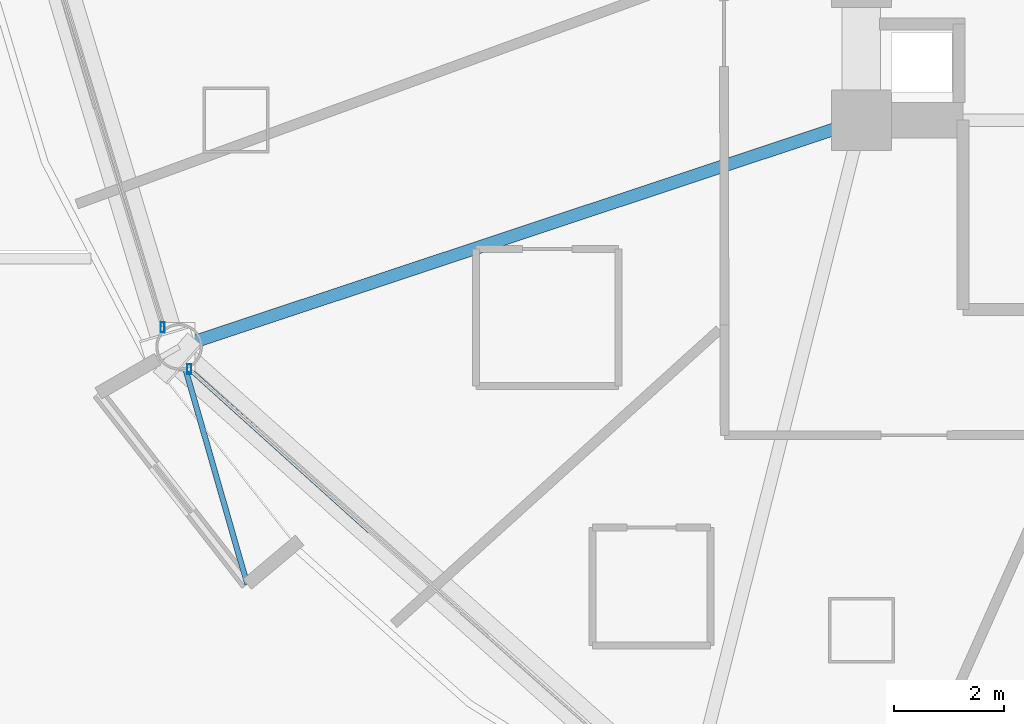
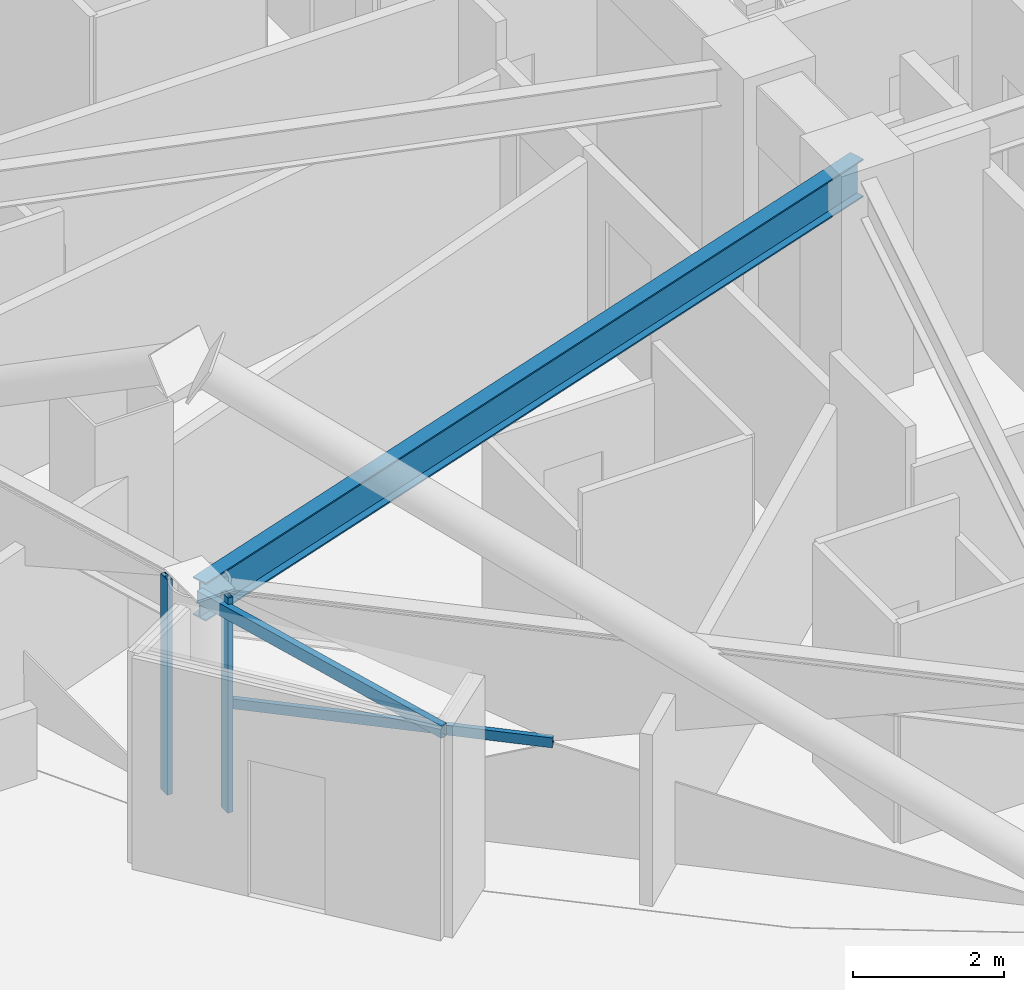
# One storey, part 2 of 27: 4 members, 1 beam, 2 elements without a shape of their own.
"""IFC4 building model written with IfcOpenShell, lengths in metres."""

from ifc_helpers import new_model, si_unit, direction, frame, origin, origin_2d, place, context, subcontext, project, spatial, hollow_rectangle, i_section, extrude, material, layer, layer_set, material_profile, profile_set, type_object, element, aggregate, save


model = new_model("IFC4")

# Units and contexts
model_context = context("Model", 3, precision=1e-05, world=origin(), true_north=direction((0.0, 1.0)))
body_context = subcontext(model_context, "Body", "Model", "MODEL_VIEW")
ifc_project = project(units=[si_unit("LENGTHUNIT", "METRE"), si_unit("AREAUNIT", "SQUARE_METRE"), si_unit("VOLUMEUNIT", "CUBIC_METRE"), si_unit("PLANEANGLEUNIT", "RADIAN"), si_unit("MASSUNIT", "GRAM", prefix="KILO")], contexts=[model_context])

# Site, building, storey
site_placement = place(None, origin())
site = spatial("IfcSite", under=ifc_project, at=site_placement, CompositionType="ELEMENT")
building_placement = place(site_placement, origin())
building = spatial("IfcBuilding", under=site, at=building_placement, Name="Vantalir Tower", CompositionType="ELEMENT")
storey_placement = place(building_placement, frame((0.0, 0.0, 27.0)))
storey = spatial("IfcBuildingStorey", under=building, at=storey_placement, Name="L05", CompositionType="ELEMENT", Elevation=27.0)

# Beam
ifc_material_1 = material(Name="Steel S355", Category="steel")
ifc_material_profile_1 = material_profile(ifc_material_1, i_section(OverallWidth=0.22998046875, OverallDepth=0.616943359375, WebThickness=0.01318359375, FlangeThickness=0.022216796875, at=origin_2d()), Name="Steel S355")
ifc_profile_set_1 = profile_set([ifc_material_profile_1], Name="Steel S355")
beam_type = type_object("IfcBeamType", Name="BM-RB-610x229", PredefinedType="BEAM", material=ifc_profile_set_1)
beam_placement = place(storey_placement, frame((9.4599609375, 13.66796875, 3.261962890625), z_axis=(0.9490161576, 0.315227429984, 0.0), x_axis=(-0.315227429984, 0.9490161576, 0.0)))
element("IfcBeam", 1, at=beam_placement, inside=storey, type_object=beam_type, Name="L05 Radial Floor Beam 08", PredefinedType="BEAM", context=body_context, shape_type="SweptSolid", body=[
    extrude(i_section(OverallWidth=0.22998046875, OverallDepth=0.616943359375, WebThickness=0.01318359375, FlangeThickness=0.022216796875, at=origin_2d()), origin(), (0.0, 0.0, 1.0), 13.108154296875),
])

# Curtain wall, member
ifc_material_2 = material(Name="Champagne-silver PVDF aluminium and double-silver Low-E glass", Category="aluminium")
ifc_layer = layer(ifc_material_2, 0.18994140625)
ifc_layer_set = layer_set([ifc_layer], Name="Champagne-silver PVDF aluminium and double-silver Low-E glass")
curtain_wall_type = type_object("IfcCurtainWallType", Name="CW-DIAMOND-Z1", PredefinedType="USERDEFINED", material=ifc_layer_set)
curtain_wall_1_placement = place(storey_placement, origin())
curtain_wall_1 = element("IfcCurtainWall", 2, at=curtain_wall_1_placement, inside=storey, type_object=curtain_wall_type, Name="L05 Quilted Pyramid-Diamond Curtain Wall S07", ObjectType="UNITISED CURTAIN WALL", PredefinedType="USERDEFINED")
ifc_material_3 = material(Name="Champagne-silver PVDF aluminium 6063-T6", Category="aluminium")
ifc_material_profile_2 = material_profile(ifc_material_3, hollow_rectangle(XDim=0.074951171875, YDim=0.179931640625, WallThickness=0.00390625, at=origin_2d()), Name="Champagne-silver PVDF aluminium 6063-T6")
ifc_profile_set_2 = profile_set([ifc_material_profile_2], Name="Champagne-silver PVDF aluminium 6063-T6")
member_type_1 = type_object("IfcMemberType", Name="CWM-180x75", PredefinedType="MULLION", material=ifc_profile_set_2)
member_1_placement = place(storey_placement, frame((9.159912109375, 14.02294921875, 0.044921875), z_axis=(0.0, 0.0, 1.0), x_axis=(1.0, 0.0, 0.0)))
member_1 = element("IfcMember", 3, at=member_1_placement, type_object=member_type_1, Name="CW-L05-S07 Mullion 2", PredefinedType="MULLION", context=body_context, shape_type="SweptSolid", body=[
    extrude(hollow_rectangle(XDim=0.074951171875, YDim=0.179931640625, WallThickness=0.00390625, at=origin_2d()), origin(), (0.0, 0.0, 1.0), 3.47998046875),
])
aggregate(curtain_wall_1, [member_1])

# Curtain wall, members
curtain_wall_2_placement = place(storey_placement, origin())
curtain_wall_2 = element("IfcCurtainWall", 4, at=curtain_wall_2_placement, inside=storey, type_object=curtain_wall_type, Name="L05 Quilted Pyramid-Diamond Curtain Wall S08", ObjectType="UNITISED CURTAIN WALL", PredefinedType="USERDEFINED")
member_2_placement = place(storey_placement, frame((9.64599609375, 13.260009765625, 0.044921875), z_axis=(0.0, 0.0, 1.0), x_axis=(1.0, 0.0, 0.0)))
member_2 = element("IfcMember", 5, at=member_2_placement, type_object=member_type_1, Name="CW-L05-S08 Mullion 1", PredefinedType="MULLION", context=body_context, shape_type="SweptSolid", body=[
    extrude(hollow_rectangle(XDim=0.074951171875, YDim=0.179931640625, WallThickness=0.00390625, at=origin_2d()), origin(), (0.0, 0.0, 1.0), 3.47998046875),
])
ifc_material_profile_3 = material_profile(ifc_material_3, hollow_rectangle(XDim=0.074951171875, YDim=0.159912109375, WallThickness=0.00390625, at=origin_2d()), Name="Champagne-silver PVDF aluminium 6063-T6")
ifc_profile_set_3 = profile_set([ifc_material_profile_3], Name="Champagne-silver PVDF aluminium 6063-T6")
member_type_2 = type_object("IfcMemberType", Name="CWT-160x75", PredefinedType="USERDEFINED", material=ifc_profile_set_3)
member_3_placement = place(storey_placement, frame((9.64599609375, 13.260009765625, 1.784912109375), z_axis=(0.7429394407, -0.669358638887, 0.0), x_axis=(0.669358638887, 0.7429394407, 0.0)))
member_3 = element("IfcMember", 6, at=member_3_placement, type_object=member_type_2, Name="CW-L05-S08 Pyramid Fold Ridge Transom", ObjectType="TRANSOM", PredefinedType="USERDEFINED", context=body_context, shape_type="SweptSolid", body=[
    extrude(hollow_rectangle(XDim=0.074951171875, YDim=0.159912109375, WallThickness=0.00390625, at=origin_2d()), origin(), (0.0, 0.0, 1.0), 4.416259765625),
])
aggregate(curtain_wall_2, [member_2, member_3])

# Member
ifc_material_profile_4 = material_profile(ifc_material_1, hollow_rectangle(XDim=0.10009765625, YDim=0.199951171875, WallThickness=0.008056640625, at=origin_2d()), Name="Steel S355")
ifc_profile_set_4 = profile_set([ifc_material_profile_4], Name="Steel S355")
member_type_3 = type_object("IfcMemberType", Name="MEM-PR-200x100", PredefinedType="PURLIN", material=ifc_profile_set_4)
member_4_placement = place(storey_placement, frame((9.4599609375, 13.66796875, 3.320068359375), z_axis=(0.275773483101, -0.961222651636, 0.0), x_axis=(0.961222651636, 0.275773483101, 0.0)))
element("IfcMember", 7, at=member_4_placement, inside=storey, type_object=member_type_3, Name="L05 Vestibule Canopy Diagonal Purlin SW2", PredefinedType="PURLIN", context=body_context, shape_type="SweptSolid", body=[
    extrude(hollow_rectangle(XDim=0.10009765625, YDim=0.199951171875, WallThickness=0.008056640625, at=origin_2d()), origin(), (0.0, 0.0, 1.0), 4.50341796875),
])

save(model, "model.ifc")
